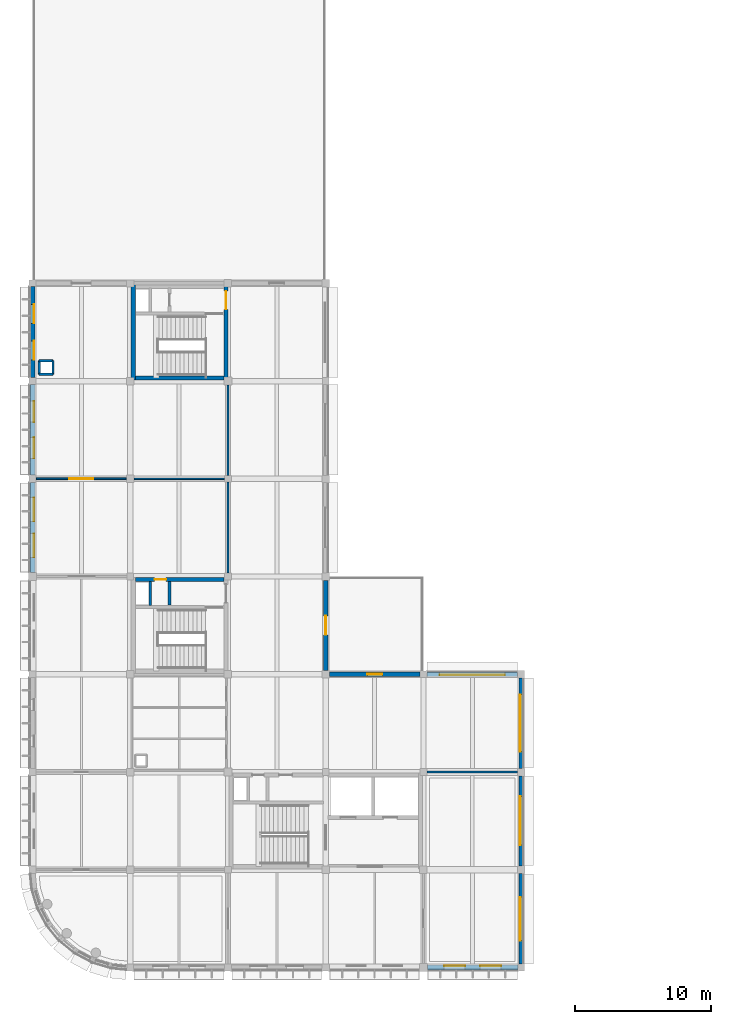
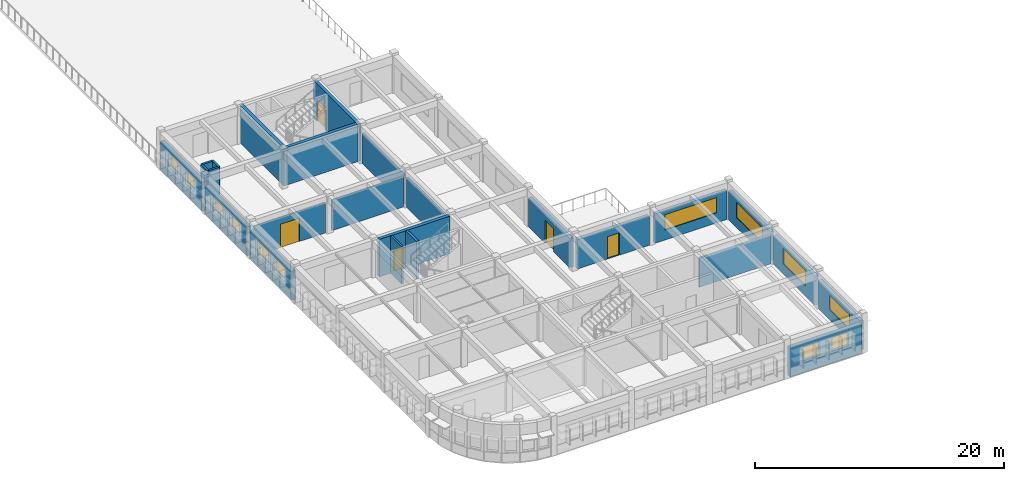
# One storey, part 13 of 22: 25 walls, 12 windows, 5 doors, 17 openings.
"""IFC4 building model written with IfcOpenShell, lengths in metres."""

from ifc_helpers import new_model, si_unit, direction, frame, frame_2d, origin, place, context, subcontext, project, spatial, rectangle, extrude, material, layer, layer_set, type_object, element, fill, save


model = new_model("IFC4")

# Units and contexts
model_context = context("Model", 3, precision=1e-05, world=origin(), true_north=direction((0.0, 1.0)))
body_context = subcontext(model_context, "Body", "Model", "MODEL_VIEW")
ifc_project = project(units=[si_unit("LENGTHUNIT", "METRE"), si_unit("AREAUNIT", "SQUARE_METRE"), si_unit("VOLUMEUNIT", "CUBIC_METRE"), si_unit("PLANEANGLEUNIT", "RADIAN"), si_unit("MASSUNIT", "GRAM", prefix="KILO")], contexts=[model_context])

# Site, building, storey
site_placement = place(None, origin())
site = spatial("IfcSite", under=ifc_project, at=site_placement, CompositionType="ELEMENT")
building_placement = place(site_placement, origin())
building = spatial("IfcBuilding", under=site, at=building_placement, Name="Thalmaran Polytechnic", CompositionType="ELEMENT")
storey_placement = place(building_placement, frame((0.0, 0.0, 22.800048828125)))
storey = spatial("IfcBuildingStorey", under=building, at=storey_placement, Name="L05", CompositionType="ELEMENT", Elevation=22.800048828125)

# Wall, openings, windows
ifc_material_1 = material(Name="Precast concrete C40/50", Category="concrete")
ifc_layer_1 = layer(ifc_material_1, 0.360107421875, Name="Precast concrete C40/50")
ifc_layer_set_1 = layer_set([ifc_layer_1], Name="Precast concrete C40/50")
wall_type_1 = type_object("IfcWallType", Name="WL-EW01", PredefinedType="STANDARD", material=ifc_layer_set_1)
wall_1_placement = place(storey_placement, frame((0.0, 29.090087890625, 0.0), z_axis=(0.0, 0.0, 1.0), x_axis=(0.0, 1.0, 0.0)))
wall_1 = element("IfcWall", 1, at=wall_1_placement, inside=storey, type_object=wall_type_1, Name="Exterior Precast Facade Wall L05-043", PredefinedType="STANDARD", context=body_context, shape_type="SweptSolid", body=[
    extrude(rectangle(XDim=6.635009765625, YDim=0.360107421875, at=frame_2d((3.3173828125, 0.0))), origin(), (0.0, 0.0, 1.0), 2.864990234375),
])
opening_1_placement = place(wall_1_placement, frame((1.115478515625, 0.0, 1.14990234375)))
opening_1 = element("IfcOpeningElement", 2, at=opening_1_placement, cuts=wall_1, Name="Opening VW08", PredefinedType="OPENING", context=body_context, shape_type="SweptSolid", body=[
    extrude(rectangle(XDim=1.75, YDim=1.39990234375, at=frame_2d((0.875, 0.699951171875))), frame((0.0, 0.18994140625, 0.0), z_axis=(0.0, -1.0, 0.0), x_axis=(1.0, 0.0, 0.0)), (0.0, 0.0, 1.0), 0.380126953125),
])
opening_2_placement = place(wall_1_placement, frame((3.76953125, 0.0, 1.14990234375)))
opening_2 = element("IfcOpeningElement", 3, at=opening_2_placement, cuts=wall_1, Name="Opening VW08", PredefinedType="OPENING", context=body_context, shape_type="SweptSolid", body=[
    extrude(rectangle(XDim=1.75, YDim=1.39990234375, at=frame_2d((0.875, 0.699951171875))), frame((0.0, 0.18994140625, 0.0), z_axis=(0.0, -1.0, 0.0), x_axis=(1.0, 0.0, 0.0)), (0.0, 0.0, 1.0), 0.380126953125),
])
ifc_material_2 = material(Name="Thermally broken aluminium and double low-E glass", Category="aluminium")
window_type_1 = type_object("IfcWindowType", Name="WN-VZ08", PartitioningType="SINGLE_PANEL", PredefinedType="WINDOW", material=ifc_material_2)
window_1_placement = place(opening_1_placement, origin())
window_1 = element("IfcWindow", 4, at=window_1_placement, inside=storey, type_object=window_type_1, Name="Deep-Set Solar-Screened Window W-0702", OverallHeight=1.39990234375, OverallWidth=1.75, PartitioningType="SINGLE_PANEL", PredefinedType="WINDOW", context=body_context, shape_type="SweptSolid", body=[
    extrude(rectangle(XDim=1.75, YDim=1.39990234375, at=frame_2d((0.875, 0.699951171875))), frame((0.0, -0.080078125, 0.0), z_axis=(0.0, -1.0, 0.0), x_axis=(1.0, 0.0, 0.0)), (0.0, 0.0, 1.0), 0.06005859375),
])
fill(opening_1, window_1)
window_2_placement = place(opening_2_placement, origin())
window_2 = element("IfcWindow", 5, at=window_2_placement, inside=storey, type_object=window_type_1, Name="Deep-Set Solar-Screened Window W-0703", OverallHeight=1.39990234375, OverallWidth=1.75, PartitioningType="SINGLE_PANEL", PredefinedType="WINDOW", context=body_context, shape_type="SweptSolid", body=[
    extrude(rectangle(XDim=1.75, YDim=1.39990234375, at=frame_2d((0.875, 0.699951171875))), frame((0.0, -0.080078125, 0.0), z_axis=(0.0, -1.0, 0.0), x_axis=(1.0, 0.0, 0.0)), (0.0, 0.0, 1.0), 0.06005859375),
])
fill(opening_2, window_2)

wall_2_placement = place(storey_placement, frame((0.0, 36.27490234375, 0.0), z_axis=(0.0, 0.0, 1.0), x_axis=(0.0, 1.0, 0.0)))
wall_2 = element("IfcWall", 6, at=wall_2_placement, inside=storey, type_object=wall_type_1, Name="Exterior Precast Facade Wall L05-044", PredefinedType="STANDARD", context=body_context, shape_type="SweptSolid", body=[
    extrude(rectangle(XDim=6.6650390625, YDim=0.360107421875, at=frame_2d((3.33251953125, 0.0))), origin(), (0.0, 0.0, 1.0), 2.864990234375),
])
opening_3_placement = place(wall_2_placement, frame((1.224609375, 0.0, 1.14990234375)))
opening_3 = element("IfcOpeningElement", 7, at=opening_3_placement, cuts=wall_2, Name="Opening VW09", PredefinedType="OPENING", context=body_context, shape_type="SweptSolid", body=[
    extrude(rectangle(XDim=1.550048828125, YDim=1.35009765625, at=frame_2d((0.77490234375, 0.675048828125))), frame((0.0, 0.18994140625, 0.0), z_axis=(0.0, -1.0, 0.0), x_axis=(1.0, 0.0, 0.0)), (0.0, 0.0, 1.0), 0.380126953125),
])
opening_4_placement = place(wall_2_placement, frame((3.890380859375, 0.0, 1.14990234375)))
opening_4 = element("IfcOpeningElement", 8, at=opening_4_placement, cuts=wall_2, Name="Opening VW09", PredefinedType="OPENING", context=body_context, shape_type="SweptSolid", body=[
    extrude(rectangle(XDim=1.550048828125, YDim=1.35009765625, at=frame_2d((0.77490234375, 0.675048828125))), frame((0.0, 0.18994140625, 0.0), z_axis=(0.0, -1.0, 0.0), x_axis=(1.0, 0.0, 0.0)), (0.0, 0.0, 1.0), 0.380126953125),
])
window_type_2 = type_object("IfcWindowType", Name="WN-VZ09", PartitioningType="SINGLE_PANEL", PredefinedType="WINDOW", material=ifc_material_2)
window_3_placement = place(opening_3_placement, origin())
window_3 = element("IfcWindow", 9, at=window_3_placement, inside=storey, type_object=window_type_2, Name="Deep-Set Solar-Screened Window W-0704", OverallHeight=1.35009765625, OverallWidth=1.550048828125, PartitioningType="SINGLE_PANEL", PredefinedType="WINDOW", context=body_context, shape_type="SweptSolid", body=[
    extrude(rectangle(XDim=1.550048828125, YDim=1.35009765625, at=frame_2d((0.77490234375, 0.675048828125))), frame((0.0, -0.080078125, 0.0), z_axis=(0.0, -1.0, 0.0), x_axis=(1.0, 0.0, 0.0)), (0.0, 0.0, 1.0), 0.06005859375),
])
fill(opening_3, window_3)
window_4_placement = place(opening_4_placement, origin())
window_4 = element("IfcWindow", 10, at=window_4_placement, inside=storey, type_object=window_type_2, Name="Deep-Set Solar-Screened Window W-0705", OverallHeight=1.35009765625, OverallWidth=1.550048828125, PartitioningType="SINGLE_PANEL", PredefinedType="WINDOW", context=body_context, shape_type="SweptSolid", body=[
    extrude(rectangle(XDim=1.550048828125, YDim=1.35009765625, at=frame_2d((0.77490234375, 0.675048828125))), frame((0.0, -0.080078125, 0.0), z_axis=(0.0, -1.0, 0.0), x_axis=(1.0, 0.0, 0.0)), (0.0, 0.0, 1.0), 0.06005859375),
])
fill(opening_4, window_4)

wall_3_placement = place(storey_placement, frame((0.0, 43.4599609375, 0.0), z_axis=(0.0, 0.0, 1.0), x_axis=(0.0, 1.0, 0.0)))
wall_3 = element("IfcWall", 11, at=wall_3_placement, inside=storey, type_object=wall_type_1, Name="Exterior Precast Facade Wall L05-045", PredefinedType="STANDARD", context=body_context, shape_type="SweptSolid", body=[
    extrude(rectangle(XDim=6.68994140625, YDim=0.360107421875, at=frame_2d((3.344970703125, 0.0))), origin(), (0.0, 0.0, 1.0), 2.864990234375),
])
opening_5_placement = place(wall_3_placement, frame((1.306884765625, 0.0, 1.14990234375)))
opening_5 = element("IfcOpeningElement", 12, at=opening_5_placement, cuts=wall_3, Name="Opening VW10", PredefinedType="OPENING", context=body_context, shape_type="SweptSolid", body=[
    extrude(rectangle(XDim=1.39990234375, YDim=1.300048828125, at=frame_2d((0.699951171875, 0.64990234375))), frame((0.0, 0.18994140625, 0.0), z_axis=(0.0, -1.0, 0.0), x_axis=(1.0, 0.0, 0.0)), (0.0, 0.0, 1.0), 0.380126953125),
])
opening_6_placement = place(wall_3_placement, frame((3.98291015625, 0.0, 1.14990234375)))
opening_6 = element("IfcOpeningElement", 13, at=opening_6_placement, cuts=wall_3, Name="Opening VW10", PredefinedType="OPENING", context=body_context, shape_type="SweptSolid", body=[
    extrude(rectangle(XDim=1.39990234375, YDim=1.300048828125, at=frame_2d((0.699951171875, 0.64990234375))), frame((0.0, 0.18994140625, 0.0), z_axis=(0.0, -1.0, 0.0), x_axis=(1.0, 0.0, 0.0)), (0.0, 0.0, 1.0), 0.380126953125),
])
window_type_3 = type_object("IfcWindowType", Name="WN-VZ10", PartitioningType="SINGLE_PANEL", PredefinedType="WINDOW", material=ifc_material_2)
window_5_placement = place(opening_5_placement, origin())
window_5 = element("IfcWindow", 14, at=window_5_placement, inside=storey, type_object=window_type_3, Name="Deep-Set Solar-Screened Window W-0706", OverallHeight=1.300048828125, OverallWidth=1.39990234375, PartitioningType="SINGLE_PANEL", PredefinedType="WINDOW", context=body_context, shape_type="SweptSolid", body=[
    extrude(rectangle(XDim=1.39990234375, YDim=1.300048828125, at=frame_2d((0.699951171875, 0.64990234375))), frame((0.0, -0.080078125, 0.0), z_axis=(0.0, -1.0, 0.0), x_axis=(1.0, 0.0, 0.0)), (0.0, 0.0, 1.0), 0.06005859375),
])
fill(opening_5, window_5)
window_6_placement = place(opening_6_placement, origin())
window_6 = element("IfcWindow", 15, at=window_6_placement, inside=storey, type_object=window_type_3, Name="Deep-Set Solar-Screened Window W-0707", OverallHeight=1.300048828125, OverallWidth=1.39990234375, PartitioningType="SINGLE_PANEL", PredefinedType="WINDOW", context=body_context, shape_type="SweptSolid", body=[
    extrude(rectangle(XDim=1.39990234375, YDim=1.300048828125, at=frame_2d((0.699951171875, 0.64990234375))), frame((0.0, -0.080078125, 0.0), z_axis=(0.0, -1.0, 0.0), x_axis=(1.0, 0.0, 0.0)), (0.0, 0.0, 1.0), 0.06005859375),
])
fill(opening_6, window_6)

wall_4_placement = place(storey_placement, frame((35.75, 0.0, 0.0), z_axis=(0.0, 0.0, 1.0), x_axis=(-1.0, 0.0, 0.0)))
wall_4 = element("IfcWall", 16, at=wall_4_placement, inside=storey, type_object=wall_type_1, Name="Exterior Precast Facade Wall L05-058", PredefinedType="STANDARD", context=body_context, shape_type="SweptSolid", body=[
    extrude(rectangle(XDim=6.659912109375, YDim=0.360107421875, at=frame_2d((3.330078125, 0.0))), origin(), (0.0, 0.0, 1.0), 2.864990234375),
])
opening_7_placement = place(wall_4_placement, frame((1.222900390625, 0.0, 1.14990234375)))
opening_7 = element("IfcOpeningElement", 17, at=opening_7_placement, cuts=wall_4, Name="Opening VW09", PredefinedType="OPENING", context=body_context, shape_type="SweptSolid", body=[
    extrude(rectangle(XDim=1.550048828125, YDim=1.35009765625, at=frame_2d((0.77490234375, 0.675048828125))), frame((0.0, 0.18994140625, 0.0), z_axis=(0.0, -1.0, 0.0), x_axis=(1.0, 0.0, 0.0)), (0.0, 0.0, 1.0), 0.380126953125),
])
opening_8_placement = place(wall_4_placement, frame((3.886962890625, 0.0, 1.14990234375)))
opening_8 = element("IfcOpeningElement", 18, at=opening_8_placement, cuts=wall_4, Name="Opening VW09", PredefinedType="OPENING", context=body_context, shape_type="SweptSolid", body=[
    extrude(rectangle(XDim=1.550048828125, YDim=1.35009765625, at=frame_2d((0.77490234375, 0.675048828125))), frame((0.0, 0.18994140625, 0.0), z_axis=(0.0, -1.0, 0.0), x_axis=(1.0, 0.0, 0.0)), (0.0, 0.0, 1.0), 0.380126953125),
])
window_7_placement = place(opening_7_placement, origin())
window_7 = element("IfcWindow", 19, at=window_7_placement, inside=storey, type_object=window_type_2, Name="Deep-Set Solar-Screened Window W-0715", OverallHeight=1.35009765625, OverallWidth=1.550048828125, PartitioningType="SINGLE_PANEL", PredefinedType="WINDOW", context=body_context, shape_type="SweptSolid", body=[
    extrude(rectangle(XDim=1.550048828125, YDim=1.35009765625, at=frame_2d((0.77490234375, 0.675048828125))), frame((0.0, -0.080078125, 0.0), z_axis=(0.0, -1.0, 0.0), x_axis=(1.0, 0.0, 0.0)), (0.0, 0.0, 1.0), 0.06005859375),
])
fill(opening_7, window_7)
window_8_placement = place(opening_8_placement, origin())
window_8 = element("IfcWindow", 20, at=window_8_placement, inside=storey, type_object=window_type_2, Name="Deep-Set Solar-Screened Window W-0716", OverallHeight=1.35009765625, OverallWidth=1.550048828125, PartitioningType="SINGLE_PANEL", PredefinedType="WINDOW", context=body_context, shape_type="SweptSolid", body=[
    extrude(rectangle(XDim=1.550048828125, YDim=1.35009765625, at=frame_2d((0.77490234375, 0.675048828125))), frame((0.0, -0.080078125, 0.0), z_axis=(0.0, -1.0, 0.0), x_axis=(1.0, 0.0, 0.0)), (0.0, 0.0, 1.0), 0.06005859375),
])
fill(opening_8, window_8)

# Wall, opening, door
ifc_layer_2 = layer(ifc_material_1, 0.330078125, Name="Precast concrete C40/50")
ifc_layer_set_2 = layer_set([ifc_layer_2], Name="Precast concrete C40/50")
wall_type_2 = type_object("IfcWallType", Name="WL-EW02", PredefinedType="STANDARD", material=ifc_layer_set_2)
wall_5_placement = place(storey_placement, frame((21.60009765625, 28.52490234375, 0.0), z_axis=(0.0, 0.0, 1.0), x_axis=(0.0, -1.0, 0.0)))
wall_5 = element("IfcWall", 21, at=wall_5_placement, inside=storey, type_object=wall_type_2, Name="Terrace Access Wall L05-052", PredefinedType="STANDARD", context=body_context, shape_type="SweptSolid", body=[
    extrude(rectangle(XDim=6.635009765625, YDim=0.330078125, at=frame_2d((3.3173828125, 0.0))), origin(), (0.0, 0.0, 1.0), 2.864990234375),
])
opening_9_placement = place(wall_5_placement, frame((2.617431640625, 0.0, 0.0)))
opening_9 = element("IfcOpeningElement", 22, at=opening_9_placement, cuts=wall_5, Name="Opening TD-019", PredefinedType="OPENING", context=body_context, shape_type="SweptSolid", body=[
    extrude(rectangle(XDim=1.39990234375, YDim=2.25, at=frame_2d((0.699951171875, 1.125))), frame((0.0, 0.175048828125, 0.0), z_axis=(0.0, -1.0, 0.0), x_axis=(1.0, 0.0, 0.0)), (0.0, 0.0, 1.0), 0.35009765625),
])
ifc_material_3 = material(Name="Anodised aluminium and safety glass", Category="aluminium")
door_type_1 = type_object("IfcDoorType", Name="DR-TD01", OperationType="NOTDEFINED", PredefinedType="DOOR", material=ifc_material_3)
door_1_placement = place(opening_9_placement, origin())
door_1 = element("IfcDoor", 23, at=door_1_placement, inside=storey, type_object=door_type_1, Name="Terrace Access Door TD-019", OperationType="SINGLE_SWING_LEFT", OverallHeight=2.25, OverallWidth=1.39990234375, PredefinedType="DOOR", context=body_context, shape_type="SweptSolid", body=[
    extrude(rectangle(XDim=1.39990234375, YDim=2.25, at=frame_2d((0.699951171875, 1.125))), frame((0.0, 0.02490234375, 0.0), z_axis=(0.0, -1.0, 0.0), x_axis=(1.0, 0.0, 0.0)), (0.0, 0.0, 1.0), 0.050048828125),
])
fill(opening_9, door_1)

wall_6_placement = place(storey_placement, frame((21.889892578125, 21.60009765625, 0.0), z_axis=(0.0, 0.0, 1.0), x_axis=(1.0, 0.0, 0.0)))
wall_6 = element("IfcWall", 24, at=wall_6_placement, inside=storey, type_object=wall_type_2, Name="Terrace Access Wall L05-053", PredefinedType="STANDARD", context=body_context, shape_type="SweptSolid", body=[
    extrude(rectangle(XDim=6.66015625, YDim=0.330078125, at=frame_2d((3.330078125, 0.0))), origin(), (0.0, 0.0, 1.0), 2.864990234375),
])
opening_10_placement = place(wall_6_placement, frame((2.780029296875, 0.0, 0.0)))
opening_10 = element("IfcOpeningElement", 25, at=opening_10_placement, cuts=wall_6, Name="Opening TD-020", PredefinedType="OPENING", context=body_context, shape_type="SweptSolid", body=[
    extrude(rectangle(XDim=1.10009765625, YDim=2.199951171875, at=frame_2d((0.550048828125, 1.10009765625))), frame((0.0, 0.175048828125, 0.0), z_axis=(0.0, -1.0, 0.0), x_axis=(1.0, 0.0, 0.0)), (0.0, 0.0, 1.0), 0.35009765625),
])
door_type_2 = type_object("IfcDoorType", Name="DR-TD02", OperationType="NOTDEFINED", PredefinedType="DOOR", material=ifc_material_3)
door_2_placement = place(opening_10_placement, origin())
door_2 = element("IfcDoor", 26, at=door_2_placement, inside=storey, type_object=door_type_2, Name="Terrace Access Door TD-020", OperationType="SINGLE_SWING_RIGHT", OverallHeight=2.199951171875, OverallWidth=1.10009765625, PredefinedType="DOOR", context=body_context, shape_type="SweptSolid", body=[
    extrude(rectangle(XDim=1.10009765625, YDim=2.199951171875, at=frame_2d((0.550048828125, 1.10009765625))), frame((0.0, 0.02490234375, 0.0), z_axis=(0.0, -1.0, 0.0), x_axis=(1.0, 0.0, 0.0)), (0.0, 0.0, 1.0), 0.050048828125),
])
fill(opening_10, door_2)

# Wall, opening, window
ifc_layer_3 = layer(ifc_material_1, 0.31005859375, Name="Precast concrete C40/50")
ifc_layer_set_3 = layer_set([ifc_layer_3], Name="Precast concrete C40/50")
wall_type_3 = type_object("IfcWallType", Name="WL-EW03", PredefinedType="STANDARD", material=ifc_layer_set_3)
wall_7_placement = place(storey_placement, frame((29.050048828125, 21.60009765625, 0.0), z_axis=(0.0, 0.0, 1.0), x_axis=(1.0, 0.0, 0.0)))
wall_7 = element("IfcWall", 27, at=wall_7_placement, inside=storey, type_object=wall_type_3, Name="Exterior Precast Facade Wall L05-054", PredefinedType="STANDARD", context=body_context, shape_type="SweptSolid", body=[
    extrude(rectangle(XDim=6.68994140625, YDim=0.31005859375, at=frame_2d((3.344970703125, 0.0))), origin(), (0.0, 0.0, 1.0), 2.864990234375),
])
opening_11_placement = place(wall_7_placement, frame((0.945068359375, 0.0, 0.97998046875)))
opening_11 = element("IfcOpeningElement", 28, at=opening_11_placement, cuts=wall_7, Name="Opening RW01", PredefinedType="OPENING", context=body_context, shape_type="SweptSolid", body=[
    extrude(rectangle(XDim=4.800048828125, YDim=1.5, at=frame_2d((2.39990234375, 0.75))), frame((0.0, 0.1650390625, 0.0), z_axis=(0.0, -1.0, 0.0), x_axis=(1.0, 0.0, 0.0)), (0.0, 0.0, 1.0), 0.330078125),
])
window_type_4 = type_object("IfcWindowType", Name="WN-RW01", PartitioningType="TRIPLE_PANEL_HORIZONTAL", PredefinedType="WINDOW", material=ifc_material_2)
window_9_placement = place(opening_11_placement, origin())
window_9 = element("IfcWindow", 29, at=window_9_placement, inside=storey, type_object=window_type_4, Name="Streamline Ribbon Window W-0711", OverallHeight=1.5, OverallWidth=4.800048828125, PartitioningType="SINGLE_PANEL", PredefinedType="WINDOW", context=body_context, shape_type="SweptSolid", body=[
    extrude(rectangle(XDim=4.800048828125, YDim=1.5, at=frame_2d((2.39990234375, 0.75))), frame((0.0, -0.030029296875, 0.0), z_axis=(0.0, -1.0, 0.0), x_axis=(1.0, 0.0, 0.0)), (0.0, 0.0, 1.0), 0.06005859375),
])
fill(opening_11, window_9)

wall_8_placement = place(storey_placement, frame((36.0, 21.340087890625, 0.0), z_axis=(0.0, 0.0, 1.0), x_axis=(0.0, -1.0, 0.0)))
wall_8 = element("IfcWall", 30, at=wall_8_placement, inside=storey, type_object=wall_type_3, Name="Exterior Precast Facade Wall L05-055", PredefinedType="STANDARD", context=body_context, shape_type="SweptSolid", body=[
    extrude(rectangle(XDim=6.6650390625, YDim=0.31005859375, at=frame_2d((3.33251953125, 0.0))), origin(), (0.0, 0.0, 1.0), 2.864990234375),
])
opening_12_placement = place(wall_8_placement, frame((1.232421875, 0.0, 0.97998046875)))
opening_12 = element("IfcOpeningElement", 31, at=opening_12_placement, cuts=wall_8, Name="Opening RW02", PredefinedType="OPENING", context=body_context, shape_type="SweptSolid", body=[
    extrude(rectangle(XDim=4.199951171875, YDim=1.5, at=frame_2d((2.10009765625, 0.75))), frame((0.0, 0.1650390625, 0.0), z_axis=(0.0, -1.0, 0.0), x_axis=(1.0, 0.0, 0.0)), (0.0, 0.0, 1.0), 0.330078125),
])
window_type_5 = type_object("IfcWindowType", Name="WN-RW02", PartitioningType="TRIPLE_PANEL_HORIZONTAL", PredefinedType="WINDOW", material=ifc_material_2)
window_10_placement = place(opening_12_placement, origin())
window_10 = element("IfcWindow", 32, at=window_10_placement, inside=storey, type_object=window_type_5, Name="Streamline Ribbon Window W-0712", OverallHeight=1.5, OverallWidth=4.199951171875, PartitioningType="SINGLE_PANEL", PredefinedType="WINDOW", context=body_context, shape_type="SweptSolid", body=[
    extrude(rectangle(XDim=4.199951171875, YDim=1.5, at=frame_2d((2.10009765625, 0.75))), frame((0.0, -0.030029296875, 0.0), z_axis=(0.0, -1.0, 0.0), x_axis=(1.0, 0.0, 0.0)), (0.0, 0.0, 1.0), 0.06005859375),
])
fill(opening_12, window_10)

wall_9_placement = place(storey_placement, frame((36.0, 14.125, 0.0), z_axis=(0.0, 0.0, 1.0), x_axis=(0.0, -1.0, 0.0)))
wall_9 = element("IfcWall", 33, at=wall_9_placement, inside=storey, type_object=wall_type_3, Name="Exterior Precast Facade Wall L05-056", PredefinedType="STANDARD", context=body_context, shape_type="SweptSolid", body=[
    extrude(rectangle(XDim=6.635009765625, YDim=0.31005859375, at=frame_2d((3.3173828125, 0.0))), origin(), (0.0, 0.0, 1.0), 2.864990234375),
])
opening_13_placement = place(wall_9_placement, frame((1.517578125, 0.0, 0.97998046875)))
opening_13 = element("IfcOpeningElement", 34, at=opening_13_placement, cuts=wall_9, Name="Opening RW03", PredefinedType="OPENING", context=body_context, shape_type="SweptSolid", body=[
    extrude(rectangle(XDim=3.60009765625, YDim=1.5, at=frame_2d((1.800048828125, 0.75))), frame((0.0, 0.1650390625, 0.0), z_axis=(0.0, -1.0, 0.0), x_axis=(1.0, 0.0, 0.0)), (0.0, 0.0, 1.0), 0.330078125),
])
window_type_6 = type_object("IfcWindowType", Name="WN-RW03", PartitioningType="DOUBLE_PANEL_VERTICAL", PredefinedType="WINDOW", material=ifc_material_2)
window_11_placement = place(opening_13_placement, origin())
window_11 = element("IfcWindow", 35, at=window_11_placement, inside=storey, type_object=window_type_6, Name="Streamline Ribbon Window W-0713", OverallHeight=1.5, OverallWidth=3.60009765625, PartitioningType="SINGLE_PANEL", PredefinedType="WINDOW", context=body_context, shape_type="SweptSolid", body=[
    extrude(rectangle(XDim=3.60009765625, YDim=1.5, at=frame_2d((1.800048828125, 0.75))), frame((0.0, -0.030029296875, 0.0), z_axis=(0.0, -1.0, 0.0), x_axis=(1.0, 0.0, 0.0)), (0.0, 0.0, 1.0), 0.06005859375),
])
fill(opening_13, window_11)

wall_10_placement = place(storey_placement, frame((36.0, 6.909912109375, 0.0), z_axis=(0.0, 0.0, 1.0), x_axis=(0.0, -1.0, 0.0)))
wall_10 = element("IfcWall", 36, at=wall_10_placement, inside=storey, type_object=wall_type_3, Name="Exterior Precast Facade Wall L05-057", PredefinedType="STANDARD", context=body_context, shape_type="SweptSolid", body=[
    extrude(rectangle(XDim=6.659912109375, YDim=0.31005859375, at=frame_2d((3.330078125, 0.0))), origin(), (0.0, 0.0, 1.0), 2.864990234375),
])
opening_14_placement = place(wall_10_placement, frame((1.72998046875, 0.0, 0.97998046875)))
opening_14 = element("IfcOpeningElement", 37, at=opening_14_placement, cuts=wall_10, Name="Opening RW04", PredefinedType="OPENING", context=body_context, shape_type="SweptSolid", body=[
    extrude(rectangle(XDim=3.199951171875, YDim=1.449951171875, at=frame_2d((1.60009765625, 0.72509765625))), frame((0.0, 0.1650390625, 0.0), z_axis=(0.0, -1.0, 0.0), x_axis=(1.0, 0.0, 0.0)), (0.0, 0.0, 1.0), 0.330078125),
])
window_type_7 = type_object("IfcWindowType", Name="WN-RW04", PartitioningType="DOUBLE_PANEL_VERTICAL", PredefinedType="WINDOW", material=ifc_material_2)
window_12_placement = place(opening_14_placement, origin())
window_12 = element("IfcWindow", 38, at=window_12_placement, inside=storey, type_object=window_type_7, Name="Streamline Ribbon Window W-0714", OverallHeight=1.449951171875, OverallWidth=3.199951171875, PartitioningType="SINGLE_PANEL", PredefinedType="WINDOW", context=body_context, shape_type="SweptSolid", body=[
    extrude(rectangle(XDim=3.199951171875, YDim=1.449951171875, at=frame_2d((1.60009765625, 0.72509765625))), frame((0.0, -0.030029296875, 0.0), z_axis=(0.0, -1.0, 0.0), x_axis=(1.0, 0.0, 0.0)), (0.0, 0.0, 1.0), 0.06005859375),
])
fill(opening_14, window_12)

# Walls
ifc_material_4 = material(Name="Autoclaved aerated masonry", Category="masonry")
ifc_layer_4 = layer(ifc_material_4, 0.22998046875, Name="Autoclaved aerated masonry")
ifc_layer_set_4 = layer_set([ifc_layer_4], Name="Autoclaved aerated masonry")
wall_type_4 = type_object("IfcWallType", Name="WL-IW02", PredefinedType="PARTITIONING", material=ifc_layer_set_4)
wall_11_placement = place(storey_placement, frame((10.10009765625, 26.699951171875, 0.0), z_axis=(0.0, 0.0, 1.0), x_axis=(0.0, 1.0, 0.0)))
element("IfcWall", 39, at=wall_11_placement, inside=storey, type_object=wall_type_4, Name="Core C3 Riser Partition L05", PredefinedType="PARTITIONING", context=body_context, shape_type="SweptSolid", body=[
    extrude(rectangle(XDim=1.739990234375, YDim=0.22998046875, at=frame_2d((0.8701171875, 0.0))), origin(), (0.0, 0.0, 1.0), 3.669921875),
])
ifc_layer_5 = layer(ifc_material_4, 0.179931640625, Name="Autoclaved aerated masonry")
ifc_layer_set_5 = layer_set([ifc_layer_5], Name="Autoclaved aerated masonry")
wall_type_5 = type_object("IfcWallType", Name="WL-IW04", PredefinedType="PARTITIONING", material=ifc_layer_set_5)
wall_12_placement = place(storey_placement, frame((8.679931640625, 26.679931640625, 0.0), z_axis=(0.0, 0.0, 1.0), x_axis=(0.0, 1.0, 0.0)))
element("IfcWall", 40, at=wall_12_placement, inside=storey, type_object=wall_type_5, Name="Core C3 Riser Shaft Enclosure Wall L05", PredefinedType="PARTITIONING", context=body_context, shape_type="SweptSolid", body=[
    extrude(rectangle(XDim=1.760009765625, YDim=0.179931640625, at=frame_2d((0.8798828125, 0.0))), origin(), (0.0, 0.0, 1.0), 3.669921875),
])
for number, where, z_axis, x_axis, name in (
    (41, (0.489990234375, 43.68994140625, 0.0), (0.0, 0.0, 1.0), (1.0, 0.0, 0.0), "Fume Exhaust Riser Shaft Wall L05 (0,6)-S"),
    (42, (1.510009765625, 43.68994140625, 0.0), (0.0, 0.0, 1.0), (0.0, 1.0, 0.0), "Fume Exhaust Riser Shaft Wall L05 (0,6)-E"),
    (43, (1.510009765625, 44.7099609375, 0.0), (0.0, 0.0, 1.0), (-1.0, 0.0, 0.0), "Fume Exhaust Riser Shaft Wall L05 (0,6)-N"),
    (44, (0.489990234375, 44.7099609375, 0.0), (0.0, 0.0, 1.0), (0.0, -1.0, 0.0), "Fume Exhaust Riser Shaft Wall L05 (0,6)-W"),
):
    element("IfcWall", number, at=place(storey_placement, frame(where, z_axis=z_axis, x_axis=x_axis)), inside=storey, type_object=wall_type_5, Name=name, PredefinedType="PARTITIONING", context=body_context, shape_type="SweptSolid", body=[
        extrude(rectangle(XDim=1.02001953125, YDim=0.179931640625, at=frame_2d((0.510009765625, 0.0))), origin(), (0.0, 0.0, 1.0), 3.669921875),
    ])
ifc_material_5 = material(Name="Gypsum acoustic partition")
ifc_layer_6 = layer(ifc_material_5, 0.159912109375, Name="Gypsum acoustic partition")
ifc_layer_set_6 = layer_set([ifc_layer_6], Name="Gypsum acoustic partition")
wall_type_6 = type_object("IfcWallType", Name="WL-IW05", PredefinedType="PARTITIONING", material=ifc_layer_set_6)
wall_13_placement = place(storey_placement, frame((14.39990234375, 29.06494140625, 0.0), z_axis=(0.0, 0.0, 1.0), x_axis=(0.0, 1.0, 0.0)))
element("IfcWall", 45, at=wall_13_placement, inside=storey, type_object=wall_type_6, Name="Interior Partition IW05 L05-010", PredefinedType="PARTITIONING", context=body_context, shape_type="SweptSolid", body=[
    extrude(rectangle(XDim=6.68017578125, YDim=0.159912109375, at=frame_2d((3.340087890625, 0.0))), origin(), (0.0, 0.0, 1.0), 2.98486328125),
])
wall_14_placement = place(storey_placement, frame((14.39990234375, 36.2548828125, 0.0), z_axis=(0.0, 0.0, 1.0), x_axis=(0.0, 1.0, 0.0)))
element("IfcWall", 46, at=wall_14_placement, inside=storey, type_object=wall_type_6, Name="Interior Partition IW05 L05-012", PredefinedType="PARTITIONING", context=body_context, shape_type="SweptSolid", body=[
    extrude(rectangle(XDim=6.650146484375, YDim=0.159912109375, at=frame_2d((3.3251953125, 0.0))), origin(), (0.0, 0.0, 1.0), 2.97998046875),
])
wall_15_placement = place(storey_placement, frame((29.06494140625, 14.39990234375, 0.0), z_axis=(0.0, 0.0, 1.0), x_axis=(1.0, 0.0, 0.0)))
element("IfcWall", 47, at=wall_15_placement, inside=storey, type_object=wall_type_6, Name="Interior Partition IW05 L05-023", PredefinedType="PARTITIONING", context=body_context, shape_type="SweptSolid", body=[
    extrude(rectangle(XDim=6.655029296875, YDim=0.159912109375, at=frame_2d((3.32763671875, 0.0))), origin(), (0.0, 0.0, 1.0), 2.869873046875),
])

# Wall, opening, door
ifc_layer_7 = layer(ifc_material_5, 0.1298828125, Name="Gypsum acoustic partition")
ifc_layer_set_7 = layer_set([ifc_layer_7], Name="Gypsum acoustic partition")
wall_type_7 = type_object("IfcWallType", Name="WL-IW07", PredefinedType="PARTITIONING", material=ifc_layer_set_7)
wall_16_placement = place(storey_placement, frame((0.280029296875, 36.0, 0.0), z_axis=(0.0, 0.0, 1.0), x_axis=(1.0, 0.0, 0.0)))
wall_16 = element("IfcWall", 48, at=wall_16_placement, inside=storey, type_object=wall_type_7, Name="Interior Partition IW07 L05-004", PredefinedType="PARTITIONING", context=body_context, shape_type="SweptSolid", body=[
    extrude(rectangle(XDim=6.625, YDim=0.1298828125, at=frame_2d((3.3125, 0.0))), origin(), (0.0, 0.0, 1.0), 2.969970703125),
])
opening_15_placement = place(wall_16_placement, frame((2.4326171875, 0.0, 0.0)))
opening_15 = element("IfcOpeningElement", 49, at=opening_15_placement, cuts=wall_16, Name="Opening D-L05-006-1-06-1", PredefinedType="OPENING", context=body_context, shape_type="SweptSolid", body=[
    extrude(rectangle(XDim=1.760009765625, YDim=2.300048828125, at=frame_2d((0.8798828125, 1.14990234375))), frame((0.0, 0.074951171875, 0.0), z_axis=(0.0, -1.0, 0.0), x_axis=(1.0, 0.0, 0.0)), (0.0, 0.0, 1.0), 0.14990234375),
])
ifc_material_6 = material(Name="Acoustic hardwood and vision glass", Category="wood")
door_type_3 = type_object("IfcDoorType", Name="DR-ZD02", OperationType="NOTDEFINED", PredefinedType="DOOR", material=ifc_material_6)
door_3_placement = place(opening_15_placement, origin())
door_3 = element("IfcDoor", 50, at=door_3_placement, inside=storey, type_object=door_type_3, Name="Materials Testing Laboratory L05-06 Door 1", OperationType="SINGLE_SWING_RIGHT", OverallHeight=2.300048828125, OverallWidth=1.760009765625, PredefinedType="DOOR", context=body_context, shape_type="SweptSolid", body=[
    extrude(rectangle(XDim=1.760009765625, YDim=2.300048828125, at=frame_2d((0.8798828125, 1.14990234375))), frame((0.0, 0.02490234375, 0.0), z_axis=(0.0, -1.0, 0.0), x_axis=(1.0, 0.0, 0.0)), (0.0, 0.0, 1.0), 0.050048828125),
])
fill(opening_15, door_3)

# Wall
ifc_layer_8 = layer(ifc_material_5, 0.114990234375, Name="Gypsum acoustic partition")
ifc_layer_set_8 = layer_set([ifc_layer_8], Name="Gypsum acoustic partition")
wall_type_8 = type_object("IfcWallType", Name="WL-IW08", PredefinedType="PARTITIONING", material=ifc_layer_set_8)
wall_17_placement = place(storey_placement, frame((7.4951171875, 36.0, 0.0), z_axis=(0.0, 0.0, 1.0), x_axis=(1.0, 0.0, 0.0)))
element("IfcWall", 51, at=wall_17_placement, inside=storey, type_object=wall_type_8, Name="Interior Partition IW08 L05-011", PredefinedType="PARTITIONING", context=body_context, shape_type="SweptSolid", body=[
    extrude(rectangle(XDim=6.64990234375, YDim=0.114990234375, at=frame_2d((3.324951171875, 0.0))), origin(), (0.0, 0.0, 1.0), 3.010009765625),
])

# Wall, opening, door
ifc_material_7 = material(Name="Concrete C50/60", Category="concrete")
ifc_layer_9 = layer(ifc_material_7, 0.300048828125, Name="Concrete C50/60")
ifc_layer_set_9 = layer_set([ifc_layer_9], Name="Concrete C50/60")
wall_type_9 = type_object("IfcWallType", Name="WL-SW04", PredefinedType="SHEAR", material=ifc_layer_set_9)
wall_18_placement = place(storey_placement, frame((7.570068359375, 28.580078125, 0.0), z_axis=(0.0, 0.0, 1.0), x_axis=(1.0, 0.0, 0.0)))
wall_18 = element("IfcWall", 52, at=wall_18_placement, inside=storey, type_object=wall_type_9, Name="Core C3 North Shear Wall L05", PredefinedType="SHEAR", context=body_context, shape_type="SweptSolid", body=[
    extrude(rectangle(XDim=6.5400390625, YDim=0.300048828125, at=frame_2d((3.27001953125, 0.0))), origin(), (0.0, 0.0, 1.0), 3.669921875),
])
opening_16_placement = place(wall_18_placement, frame((1.419921875, 0.0, 0.0)))
opening_16 = element("IfcOpeningElement", 53, at=opening_16_placement, cuts=wall_18, Name="Opening DR-C3-L05-R", PredefinedType="OPENING", context=body_context, shape_type="SweptSolid", body=[
    extrude(rectangle(XDim=0.85009765625, YDim=2.10009765625, at=frame_2d((0.425048828125, 1.050048828125))), frame((0.0, 0.159912109375, 0.0), z_axis=(0.0, -1.0, 0.0), x_axis=(1.0, 0.0, 0.0)), (0.0, 0.0, 1.0), 0.320068359375),
])
ifc_material_8 = material(Name="Powder-coated fire-rated steel", Category="steel")
door_type_4 = type_object("IfcDoorType", Name="DR-FD09", OperationType="NOTDEFINED", PredefinedType="DOOR", material=ifc_material_8)
door_4_placement = place(opening_16_placement, origin())
door_4 = element("IfcDoor", 54, at=door_4_placement, inside=storey, type_object=door_type_4, Name="Riser Access Fire Door C3 L05", OperationType="SINGLE_SWING_RIGHT", OverallHeight=2.10009765625, OverallWidth=0.85009765625, PredefinedType="DOOR", context=body_context, shape_type="SweptSolid", body=[
    extrude(rectangle(XDim=0.85009765625, YDim=2.10009765625, at=frame_2d((0.425048828125, 1.050048828125))), frame((0.0, 0.02490234375, 0.0), z_axis=(0.0, -1.0, 0.0), x_axis=(1.0, 0.0, 0.0)), (0.0, 0.0, 1.0), 0.050048828125),
])
fill(opening_16, door_4)

# Walls
wall_19_placement = place(storey_placement, frame((7.570068359375, 43.419921875, 0.0), z_axis=(0.0, 0.0, 1.0), x_axis=(1.0, 0.0, 0.0)))
element("IfcWall", 55, at=wall_19_placement, inside=storey, type_object=wall_type_9, Name="Core C4 South Shear Wall L05", PredefinedType="SHEAR", context=body_context, shape_type="SweptSolid", body=[
    extrude(rectangle(XDim=6.5400390625, YDim=0.300048828125, at=frame_2d((3.27001953125, 0.0))), origin(), (0.0, 0.0, 1.0), 3.669921875),
])
wall_20_placement = place(storey_placement, frame((7.419921875, 50.330078125, 0.0), z_axis=(0.0, 0.0, 1.0), x_axis=(0.0, -1.0, 0.0)))
element("IfcWall", 56, at=wall_20_placement, inside=storey, type_object=wall_type_9, Name="Core C4 West Shear Wall L05", PredefinedType="SHEAR", context=body_context, shape_type="SweptSolid", body=[
    extrude(rectangle(XDim=7.06005859375, YDim=0.300048828125, at=frame_2d((3.530029296875, 0.0))), origin(), (0.0, 0.0, 1.0), 3.669921875),
])

# Wall, opening, door
wall_21_placement = place(storey_placement, frame((14.260009765625, 43.27001953125, 0.0), z_axis=(0.0, 0.0, 1.0), x_axis=(0.0, 1.0, 0.0)))
wall_21 = element("IfcWall", 57, at=wall_21_placement, inside=storey, type_object=wall_type_9, Name="Core C4 East Shear Wall L05", PredefinedType="SHEAR", context=body_context, shape_type="SweptSolid", body=[
    extrude(rectangle(XDim=7.06005859375, YDim=0.300048828125, at=frame_2d((3.530029296875, 0.0))), origin(), (0.0, 0.0, 1.0), 3.669921875),
])
opening_17_placement = place(wall_21_placement, frame((5.199951171875, 0.0, 0.0)))
opening_17 = element("IfcOpeningElement", 58, at=opening_17_placement, cuts=wall_21, Name="Opening LD-C4-L05", PredefinedType="OPENING", context=body_context, shape_type="SweptSolid", body=[
    extrude(rectangle(XDim=1.35009765625, YDim=2.14990234375, at=frame_2d((0.675048828125, 1.074951171875))), frame((0.0, 0.159912109375, 0.0), z_axis=(0.0, -1.0, 0.0), x_axis=(1.0, 0.0, 0.0)), (0.0, 0.0, 1.0), 0.320068359375),
])
door_type_5 = type_object("IfcDoorType", Name="DR-FD06", OperationType="NOTDEFINED", PredefinedType="DOOR", material=ifc_material_8)
door_5_placement = place(opening_17_placement, origin())
door_5 = element("IfcDoor", 59, at=door_5_placement, inside=storey, type_object=door_type_5, Name="Stair Lobby Fire Door C4 L05", OperationType="SINGLE_SWING_LEFT", OverallHeight=2.14990234375, OverallWidth=1.35009765625, PredefinedType="DOOR", context=body_context, shape_type="SweptSolid", body=[
    extrude(rectangle(XDim=1.35009765625, YDim=2.14990234375, at=frame_2d((0.675048828125, 1.074951171875))), frame((0.0, 0.02490234375, 0.0), z_axis=(0.0, -1.0, 0.0), x_axis=(1.0, 0.0, 0.0)), (0.0, 0.0, 1.0), 0.050048828125),
])
fill(opening_17, door_5)

save(model, "model.ifc")
